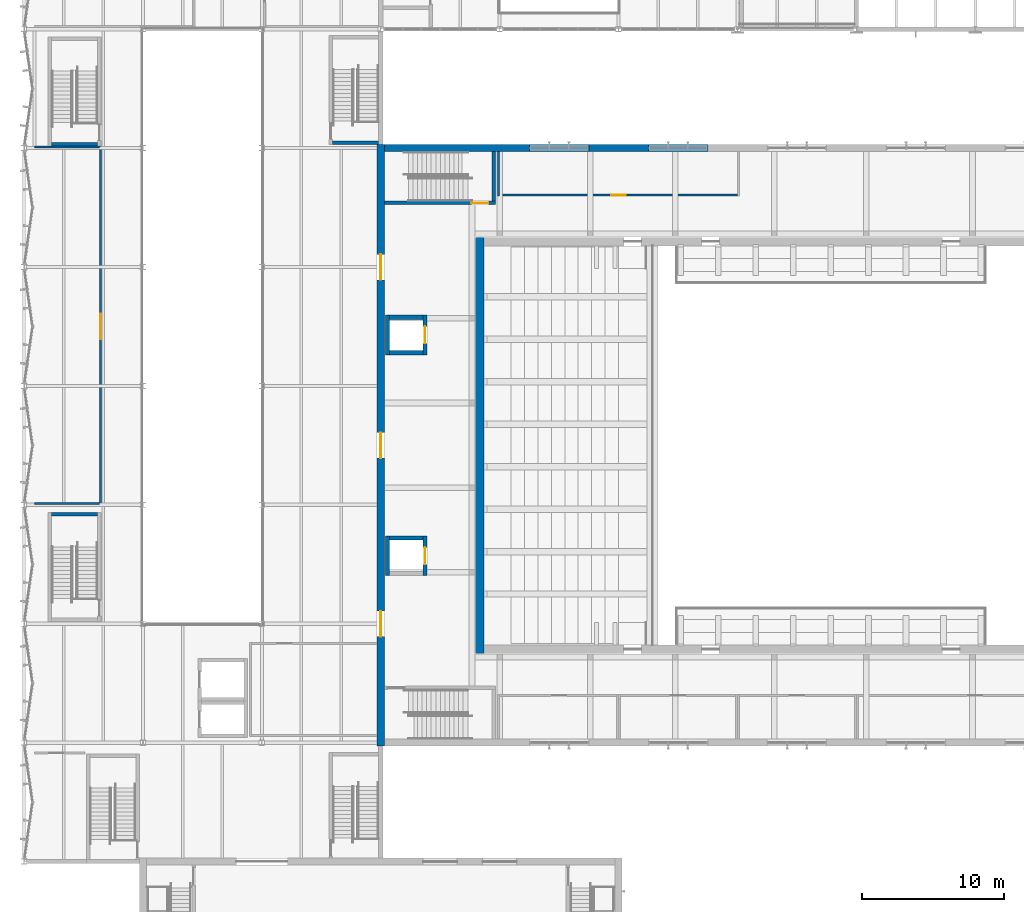
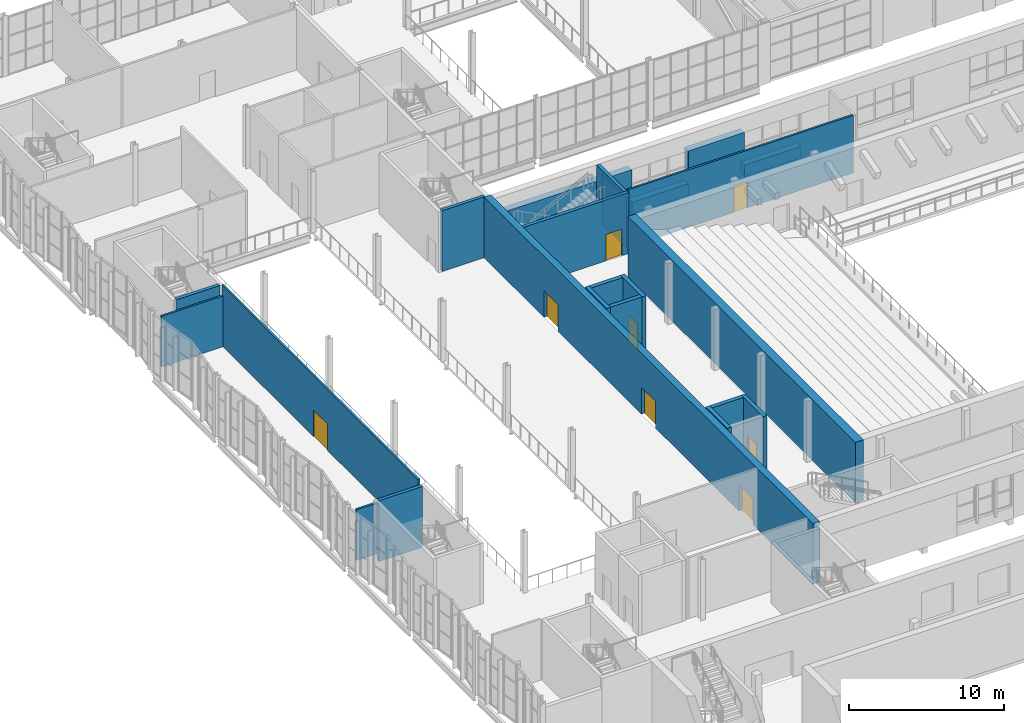
# One storey, part 77 of 127: 23 walls, 8 doors, 8 openings.
"""IFC4 building model written with IfcOpenShell, lengths in metres."""

from ifc_helpers import new_model, si_unit, direction, frame, frame_2d, origin, place, context, subcontext, project, spatial, rectangle, extrude, material, layer, layer_set, type_object, element, fill, save


model = new_model("IFC4")

# Units and contexts
model_context = context("Model", 3, precision=1e-05, world=origin(), true_north=direction((0.0, 1.0)))
body_context = subcontext(model_context, "Body", "Model", "MODEL_VIEW")
ifc_project = project(units=[si_unit("LENGTHUNIT", "METRE"), si_unit("AREAUNIT", "SQUARE_METRE"), si_unit("VOLUMEUNIT", "CUBIC_METRE"), si_unit("PLANEANGLEUNIT", "RADIAN"), si_unit("MASSUNIT", "GRAM", prefix="KILO")], contexts=[model_context])

# Site, building, storey
site_placement = place(None, origin())
site = spatial("IfcSite", under=ifc_project, at=site_placement, CompositionType="ELEMENT")
building_placement = place(site_placement, origin())
building = spatial("IfcBuilding", under=site, at=building_placement, Name="Ljudholm Concert House", CompositionType="ELEMENT")
storey_placement = place(building_placement, frame((0.0, 0.0, 5.39990234375)))
storey = spatial("IfcBuildingStorey", under=building, at=storey_placement, Name="L01", CompositionType="ELEMENT", Elevation=5.39990234375)

# Wall, opening, door
ifc_material_1 = material(Name="Gypsum board on steel studs", Category="steel")
ifc_layer_1 = layer(ifc_material_1, 0.14990234375)
ifc_layer_set_1 = layer_set([ifc_layer_1], Name="Gypsum board on steel studs")
wall_type_1 = type_object("IfcWallType", Name="GYPSUM PARTITION 150", PredefinedType="PARTITIONING", material=ifc_layer_set_1)
wall_1_placement = place(storey_placement, frame((37.60009765625, 93.074951171875, 0.0), z_axis=(0.0, 0.0, 1.0), x_axis=(1.0, 0.0, 0.0)))
wall_1 = element("IfcWall", 1, at=wall_1_placement, inside=storey, type_object=wall_type_1, Name="Hall Bar partition", PredefinedType="PARTITIONING", context=body_context, shape_type="SweptSolid", body=[
    extrude(rectangle(XDim=16.7998046875, YDim=0.14990234375, at=frame_2d((8.39990234375, 0.0))), origin(), (0.0, 0.0, 1.0), 4.550048828125),
])
opening_1_placement = place(wall_1_placement, frame((7.89990234375, 0.0, 0.0)))
opening_1 = element("IfcOpeningElement", 2, at=opening_1_placement, cuts=wall_1, Name="Opening D-H01-007", PredefinedType="OPENING", context=body_context, shape_type="SweptSolid", body=[
    extrude(rectangle(XDim=1.0, YDim=2.10009765625, at=frame_2d((0.5, 1.050048828125))), frame((0.0, 0.0849609375, 0.0), z_axis=(0.0, -1.0, 0.0), x_axis=(1.0, 0.0, 0.0)), (0.0, 0.0, 1.0), 0.169921875),
])
ifc_material_2 = material(Name="Hollow metal door in steel frame", Category="steel")
door_type_1 = type_object("IfcDoorType", Name="SWING DOOR 1000x2100", OperationType="SINGLE_SWING_LEFT", PredefinedType="DOOR", material=ifc_material_2)
door_1_placement = place(opening_1_placement, origin())
door_1 = element("IfcDoor", 3, at=door_1_placement, inside=storey, type_object=door_type_1, Name="Hall Bar door", OperationType="SINGLE_SWING_RIGHT", OverallHeight=2.10009765625, OverallWidth=1.0, PredefinedType="DOOR", context=body_context, shape_type="SweptSolid", body=[
    extrude(rectangle(XDim=1.0, YDim=2.10009765625, at=frame_2d((0.5, 1.050048828125))), frame((0.0, 0.02490234375, 0.0), z_axis=(0.0, -1.0, 0.0), x_axis=(1.0, 0.0, 0.0)), (0.0, 0.0, 1.0), 0.050048828125),
])
fill(opening_1, door_1)

# Wall
wall_2_placement = place(storey_placement, frame((37.52490234375, 93.0, 0.0), z_axis=(0.0, 0.0, 1.0), x_axis=(0.0, 1.0, 0.0)))
element("IfcWall", 4, at=wall_2_placement, inside=storey, type_object=wall_type_1, Name="Hall Bar partition", PredefinedType="PARTITIONING", context=body_context, shape_type="SweptSolid", body=[
    extrude(rectangle(XDim=3.14990234375, YDim=0.14990234375, at=frame_2d((1.574951171875, 0.0))), origin(), (0.0, 0.0, 1.0), 3.9501953125),
])

# Wall, opening, door
wall_3_placement = place(storey_placement, frame((9.39990234375, 71.22509765625, 0.0), z_axis=(0.0, 0.0, 1.0), x_axis=(0.0, 1.0, 0.0)))
wall_3 = element("IfcWall", 5, at=wall_3_placement, inside=storey, type_object=wall_type_1, Name="Room wall", PredefinedType="PARTITIONING", context=body_context, shape_type="SweptSolid", body=[
    extrude(rectangle(XDim=25.324951171875, YDim=0.14990234375, at=frame_2d((12.66259765625, 0.0))), origin(), (0.0, 0.0, 1.0), 4.800048828125),
])
opening_2_placement = place(wall_3_placement, frame((11.675048828125, 0.0, 0.0)))
opening_2 = element("IfcOpeningElement", 6, at=opening_2_placement, cuts=wall_3, Name="Opening D-S01-012", PredefinedType="OPENING", context=body_context, shape_type="SweptSolid", body=[
    extrude(rectangle(XDim=1.800048828125, YDim=2.10009765625, at=frame_2d((0.89990234375, 1.050048828125))), frame((0.0, 0.0849609375, 0.0), z_axis=(0.0, -1.0, 0.0), x_axis=(1.0, 0.0, 0.0)), (0.0, 0.0, 1.0), 0.169921875),
])
ifc_material_3 = material(Name="Hollow metal door in steel frame", Category="steel")
door_type_2 = type_object("IfcDoorType", Name="DOUBLE DOOR 1800x2100", OperationType="DOUBLE_DOOR_SINGLE_SWING", PredefinedType="DOOR", material=ifc_material_3)
door_2_placement = place(opening_2_placement, origin())
door_2 = element("IfcDoor", 7, at=door_2_placement, inside=storey, type_object=door_type_2, Name="Exhibition Gallery door", OperationType="DOUBLE_DOOR_SINGLE_SWING", OverallHeight=2.10009765625, OverallWidth=1.800048828125, PredefinedType="DOOR", context=body_context, shape_type="SweptSolid", body=[
    extrude(rectangle(XDim=1.800048828125, YDim=2.10009765625, at=frame_2d((0.89990234375, 1.050048828125))), frame((0.0, 0.02490234375, 0.0), z_axis=(0.0, -1.0, 0.0), x_axis=(1.0, 0.0, 0.0)), (0.0, 0.0, 1.0), 0.050048828125),
])
fill(opening_2, door_2)

# Walls
for number, where, z_axis, x_axis, name in (
    (8, (4.75, 71.300048828125, 0.0), (0.0, 0.0, 1.0), (1.0, 0.0, 0.0), "Room wall"),
    (9, (4.75, 96.47509765625, 0.0), (0.0, 0.0, 1.0), (1.0, 0.0, 0.0), "Room wall"),
):
    element("IfcWall", number, at=place(storey_placement, frame(where, z_axis=z_axis, x_axis=x_axis)), inside=storey, type_object=wall_type_1, Name=name, PredefinedType="PARTITIONING", context=body_context, shape_type="SweptSolid", body=[
        extrude(rectangle(XDim=4.574951171875, YDim=0.14990234375, at=frame_2d((2.28759765625, 0.0))), origin(), (0.0, 0.0, 1.0), 4.008056640625),
    ])
ifc_material_4 = material(Name="Concrete 6,500 psi", Category="concrete")
ifc_layer_2 = layer(ifc_material_4, 0.25)
ifc_layer_set_2 = layer_set([ifc_layer_2], Name="Concrete 6,500 psi")
wall_type_2 = type_object("IfcWallType", Name="RC CORE WALL 250", PredefinedType="SHEAR", material=ifc_layer_set_2)
for number, where, z_axis, x_axis, name in (
    (10, (25.800048828125, 96.77490234375, 0.0), (0.0, 0.0, 1.0), (1.0, 0.0, 0.0), "Stair enclosure wall"),
    (11, (5.949951171875, 70.52490234375, 0.0), (0.0, 0.0, 1.0), (1.0, 0.0, 0.0), "Stair enclosure wall"),
    (12, (5.949951171875, 96.675048828125, 0.0), (0.0, 0.0, 1.0), (1.0, 0.0, 0.0), "Stair enclosure wall"),
):
    element("IfcWall", number, at=place(storey_placement, frame(where, z_axis=z_axis, x_axis=x_axis)), inside=storey, type_object=wall_type_2, Name=name, PredefinedType="SHEAR", context=body_context, shape_type="SweptSolid", body=[
        extrude(rectangle(XDim=3.25, YDim=0.25, at=frame_2d((1.625, 0.0))), origin(), (0.0, 0.0, 1.0), 4.800048828125),
    ])

# Wall, opening, door
ifc_material_5 = material(Name="Concrete 6,500 psi", Category="concrete")
ifc_layer_3 = layer(ifc_material_5, 0.25)
ifc_layer_set_3 = layer_set([ifc_layer_3], Name="Concrete 6,500 psi")
wall_type_3 = type_object("IfcWallType", Name="RC WALL 250", PredefinedType="SOLIDWALL", material=ifc_layer_set_3)
wall_4_placement = place(storey_placement, frame((29.449951171875, 92.52490234375, 0.0), z_axis=(0.0, 0.0, 1.0), x_axis=(1.0, 0.0, 0.0)))
wall_4 = element("IfcWall", 13, at=wall_4_placement, inside=storey, type_object=wall_type_3, Name="Stair enclosure wall EH2", PredefinedType="SOLIDWALL", context=body_context, shape_type="SweptSolid", body=[
    extrude(rectangle(XDim=7.85009765625, YDim=0.25, at=frame_2d((3.925048828125, 0.0))), origin(), (0.0, 0.0, 1.0), 4.800048828125),
])
opening_3_placement = place(wall_4_placement, frame((6.14990234375, 0.0, 0.0)))
opening_3 = element("IfcOpeningElement", 14, at=opening_3_placement, cuts=wall_4, Name="Opening D-H01-010", PredefinedType="OPENING", context=body_context, shape_type="SweptSolid", body=[
    extrude(rectangle(XDim=1.199951171875, YDim=2.10009765625, at=frame_2d((0.60009765625, 1.050048828125))), frame((0.0, 0.135009765625, 0.0), z_axis=(0.0, -1.0, 0.0), x_axis=(1.0, 0.0, 0.0)), (0.0, 0.0, 1.0), 0.27001953125),
])
ifc_material_6 = material(Name="Hollow metal door in steel frame", Category="steel")
door_type_3 = type_object("IfcDoorType", Name="SWING DOOR 1200x2100", OperationType="SINGLE_SWING_LEFT", PredefinedType="DOOR", material=ifc_material_6)
door_3_placement = place(opening_3_placement, origin())
door_3 = element("IfcDoor", 15, at=door_3_placement, inside=storey, type_object=door_type_3, Name="Exit stair EH2 door", OperationType="SINGLE_SWING_RIGHT", OverallHeight=2.10009765625, OverallWidth=1.199951171875, PredefinedType="DOOR", context=body_context, shape_type="SweptSolid", body=[
    extrude(rectangle(XDim=1.199951171875, YDim=2.10009765625, at=frame_2d((0.60009765625, 1.050048828125))), frame((0.0, 0.02490234375, 0.0), z_axis=(0.0, -1.0, 0.0), x_axis=(1.0, 0.0, 0.0)), (0.0, 0.0, 1.0), 0.050048828125),
])
fill(opening_3, door_3)

# Walls
wall_5_placement = place(storey_placement, frame((37.175048828125, 92.64990234375, 0.0), z_axis=(0.0, 0.0, 1.0), x_axis=(0.0, 1.0, 0.0)))
element("IfcWall", 16, at=wall_5_placement, inside=storey, type_object=wall_type_3, Name="Stair enclosure wall EH2", PredefinedType="SOLIDWALL", context=body_context, shape_type="SweptSolid", body=[
    extrude(rectangle(XDim=3.5, YDim=0.25, at=frame_2d((1.75, 0.0))), origin(), (0.0, 0.0, 1.0), 4.800048828125),
])
ifc_material_7 = material(Name="Concrete 6,500 psi", Category="concrete")
ifc_layer_4 = layer(ifc_material_7, 0.300048828125)
ifc_layer_set_4 = layer_set([ifc_layer_4], Name="Concrete 6,500 psi")
wall_type_4 = type_object("IfcWallType", Name="RC WALL 300", PredefinedType="SOLIDWALL", material=ifc_layer_set_4)
wall_6_placement = place(storey_placement, frame((29.675048828125, 66.199951171875, 0.0), z_axis=(0.0, 0.0, 1.0), x_axis=(0.0, 1.0, 0.0)))
element("IfcWall", 17, at=wall_6_placement, inside=storey, type_object=wall_type_4, Name="Lift shaft wall", PredefinedType="SOLIDWALL", context=body_context, shape_type="SweptSolid", body=[
    extrude(rectangle(XDim=2.800048828125, YDim=0.300048828125, at=frame_2d((1.39990234375, 0.0))), origin(), (0.0, 0.0, 1.0), 4.800048828125),
])

# Wall, opening, door
wall_7_placement = place(storey_placement, frame((32.324951171875, 66.199951171875, 0.0), z_axis=(0.0, 0.0, 1.0), x_axis=(0.0, 1.0, 0.0)))
wall_7 = element("IfcWall", 18, at=wall_7_placement, inside=storey, type_object=wall_type_4, Name="Lift shaft wall", PredefinedType="SOLIDWALL", context=body_context, shape_type="SweptSolid", body=[
    extrude(rectangle(XDim=2.800048828125, YDim=0.300048828125, at=frame_2d((1.39990234375, 0.0))), origin(), (0.0, 0.0, 1.0), 4.800048828125),
])
opening_4_placement = place(wall_7_placement, frame((0.800048828125, 0.0, 0.0)))
opening_4 = element("IfcOpeningElement", 19, at=opening_4_placement, cuts=wall_7, Name="Opening LD-H01-001", PredefinedType="OPENING", context=body_context, shape_type="SweptSolid", body=[
    extrude(rectangle(XDim=1.199951171875, YDim=2.10009765625, at=frame_2d((0.60009765625, 1.050048828125))), frame((0.0, 0.159912109375, 0.0), z_axis=(0.0, -1.0, 0.0), x_axis=(1.0, 0.0, 0.0)), (0.0, 0.0, 1.0), 0.320068359375),
])
ifc_material_8 = material(Name="Stainless steel sliding landing door, fire-rated", Category="steel")
door_type_4 = type_object("IfcDoorType", Name="LIFT DOOR 1200x2100", OperationType="SLIDING_TO_LEFT", PredefinedType="DOOR", material=ifc_material_8)
door_4_placement = place(opening_4_placement, origin())
door_4 = element("IfcDoor", 20, at=door_4_placement, inside=storey, type_object=door_type_4, Name="Lift landing door", OperationType="SLIDING_TO_LEFT", OverallHeight=2.10009765625, OverallWidth=1.199951171875, PredefinedType="DOOR", context=body_context, shape_type="SweptSolid", body=[
    extrude(rectangle(XDim=1.199951171875, YDim=2.10009765625, at=frame_2d((0.60009765625, 1.050048828125))), frame((0.0, 0.02490234375, 0.0), z_axis=(0.0, -1.0, 0.0), x_axis=(1.0, 0.0, 0.0)), (0.0, 0.0, 1.0), 0.050048828125),
])
fill(opening_4, door_4)

# Walls
wall_8_placement = place(storey_placement, frame((29.824951171875, 68.85009765625, 0.0), z_axis=(0.0, 0.0, 1.0), x_axis=(1.0, 0.0, 0.0)))
element("IfcWall", 21, at=wall_8_placement, inside=storey, type_object=wall_type_4, Name="Lift shaft wall", PredefinedType="SOLIDWALL", context=body_context, shape_type="SweptSolid", body=[
    extrude(rectangle(XDim=2.35009765625, YDim=0.300048828125, at=frame_2d((1.175048828125, 0.0))), origin(), (0.0, 0.0, 1.0), 4.800048828125),
])
wall_9_placement = place(storey_placement, frame((29.675048828125, 81.800048828125, 0.0), z_axis=(0.0, 0.0, 1.0), x_axis=(0.0, 1.0, 0.0)))
element("IfcWall", 22, at=wall_9_placement, inside=storey, type_object=wall_type_4, Name="Lift shaft wall", PredefinedType="SOLIDWALL", context=body_context, shape_type="SweptSolid", body=[
    extrude(rectangle(XDim=2.800048828125, YDim=0.300048828125, at=frame_2d((1.39990234375, 0.0))), origin(), (0.0, 0.0, 1.0), 4.800048828125),
])

# Wall, opening, door
wall_10_placement = place(storey_placement, frame((32.324951171875, 81.800048828125, 0.0), z_axis=(0.0, 0.0, 1.0), x_axis=(0.0, 1.0, 0.0)))
wall_10 = element("IfcWall", 23, at=wall_10_placement, inside=storey, type_object=wall_type_4, Name="Lift shaft wall", PredefinedType="SOLIDWALL", context=body_context, shape_type="SweptSolid", body=[
    extrude(rectangle(XDim=2.800048828125, YDim=0.300048828125, at=frame_2d((1.39990234375, 0.0))), origin(), (0.0, 0.0, 1.0), 4.800048828125),
])
opening_5_placement = place(wall_10_placement, frame((0.800048828125, 0.0, 0.0)))
opening_5 = element("IfcOpeningElement", 24, at=opening_5_placement, cuts=wall_10, Name="Opening LD-H01-002", PredefinedType="OPENING", context=body_context, shape_type="SweptSolid", body=[
    extrude(rectangle(XDim=1.199951171875, YDim=2.10009765625, at=frame_2d((0.60009765625, 1.050048828125))), frame((0.0, 0.159912109375, 0.0), z_axis=(0.0, -1.0, 0.0), x_axis=(1.0, 0.0, 0.0)), (0.0, 0.0, 1.0), 0.320068359375),
])
door_5_placement = place(opening_5_placement, origin())
door_5 = element("IfcDoor", 25, at=door_5_placement, inside=storey, type_object=door_type_4, Name="Lift landing door", OperationType="SLIDING_TO_LEFT", OverallHeight=2.10009765625, OverallWidth=1.199951171875, PredefinedType="DOOR", context=body_context, shape_type="SweptSolid", body=[
    extrude(rectangle(XDim=1.199951171875, YDim=2.10009765625, at=frame_2d((0.60009765625, 1.050048828125))), frame((0.0, 0.02490234375, 0.0), z_axis=(0.0, -1.0, 0.0), x_axis=(1.0, 0.0, 0.0)), (0.0, 0.0, 1.0), 0.050048828125),
])
fill(opening_5, door_5)

# Walls
for number, where, z_axis, x_axis, name in (
    (26, (29.824951171875, 81.949951171875, 0.0), (0.0, 0.0, 1.0), (1.0, 0.0, 0.0), "Lift shaft wall"),
    (27, (29.824951171875, 84.449951171875, 0.0), (0.0, 0.0, 1.0), (1.0, 0.0, 0.0), "Lift shaft wall"),
):
    element("IfcWall", number, at=place(storey_placement, frame(where, z_axis=z_axis, x_axis=x_axis)), inside=storey, type_object=wall_type_4, Name=name, PredefinedType="SOLIDWALL", context=body_context, shape_type="SweptSolid", body=[
        extrude(rectangle(XDim=2.35009765625, YDim=0.300048828125, at=frame_2d((1.175048828125, 0.0))), origin(), (0.0, 0.0, 1.0), 4.800048828125),
    ])

# Wall, openings, doors
ifc_material_9 = material(Name="Concrete 6,500 psi", Category="concrete")
ifc_layer_5 = layer(ifc_material_9, 0.5)
ifc_layer_set_5 = layer_set([ifc_layer_5], Name="Concrete 6,500 psi")
wall_type_5 = type_object("IfcWallType", Name="RC WALL 500", PredefinedType="SOLIDWALL", material=ifc_layer_set_5)
wall_11_placement = place(storey_placement, frame((29.199951171875, 54.14990234375, 0.0), z_axis=(0.0, 0.0, 1.0), x_axis=(0.0, 1.0, 0.0)))
wall_11 = element("IfcWall", 28, at=wall_11_placement, inside=storey, type_object=wall_type_5, Name="Outer wall W", PredefinedType="SOLIDWALL", context=body_context, shape_type="SweptSolid", body=[
    extrude(rectangle(XDim=42.5, YDim=0.5, at=frame_2d((21.25, 0.0))), origin(), (0.0, 0.0, 1.0), 4.800048828125),
])
opening_6_placement = place(wall_11_placement, frame((7.75, 0.0, 0.0)))
opening_6 = element("IfcOpeningElement", 29, at=opening_6_placement, cuts=wall_11, Name="Opening D-H01-013", PredefinedType="OPENING", context=body_context, shape_type="SweptSolid", body=[
    extrude(rectangle(XDim=1.800048828125, YDim=2.10009765625, at=frame_2d((0.89990234375, 1.050048828125))), frame((0.0, 0.260009765625, 0.0), z_axis=(0.0, -1.0, 0.0), x_axis=(1.0, 0.0, 0.0)), (0.0, 0.0, 1.0), 0.52001953125),
])
opening_7_placement = place(wall_11_placement, frame((20.35009765625, 0.0, 0.0)))
opening_7 = element("IfcOpeningElement", 30, at=opening_7_placement, cuts=wall_11, Name="Opening D-H01-014", PredefinedType="OPENING", context=body_context, shape_type="SweptSolid", body=[
    extrude(rectangle(XDim=1.800048828125, YDim=2.10009765625, at=frame_2d((0.89990234375, 1.050048828125))), frame((0.0, 0.260009765625, 0.0), z_axis=(0.0, -1.0, 0.0), x_axis=(1.0, 0.0, 0.0)), (0.0, 0.0, 1.0), 0.52001953125),
])
opening_8_placement = place(wall_11_placement, frame((32.949951171875, 0.0, 0.0)))
opening_8 = element("IfcOpeningElement", 31, at=opening_8_placement, cuts=wall_11, Name="Opening D-H01-015", PredefinedType="OPENING", context=body_context, shape_type="SweptSolid", body=[
    extrude(rectangle(XDim=1.800048828125, YDim=2.10009765625, at=frame_2d((0.89990234375, 1.050048828125))), frame((0.0, 0.260009765625, 0.0), z_axis=(0.0, -1.0, 0.0), x_axis=(1.0, 0.0, 0.0)), (0.0, 0.0, 1.0), 0.52001953125),
])
door_6_placement = place(opening_6_placement, origin())
door_6 = element("IfcDoor", 32, at=door_6_placement, inside=storey, type_object=door_type_2, Name="Port P-HS-1 door", OperationType="DOUBLE_DOOR_SINGLE_SWING", OverallHeight=2.10009765625, OverallWidth=1.800048828125, PredefinedType="DOOR", context=body_context, shape_type="SweptSolid", body=[
    extrude(rectangle(XDim=1.800048828125, YDim=2.10009765625, at=frame_2d((0.89990234375, 1.050048828125))), frame((0.0, 0.02490234375, 0.0), z_axis=(0.0, -1.0, 0.0), x_axis=(1.0, 0.0, 0.0)), (0.0, 0.0, 1.0), 0.050048828125),
])
fill(opening_6, door_6)
door_7_placement = place(opening_7_placement, origin())
door_7 = element("IfcDoor", 33, at=door_7_placement, inside=storey, type_object=door_type_2, Name="Port P-HS-2 door", OperationType="DOUBLE_DOOR_SINGLE_SWING", OverallHeight=2.10009765625, OverallWidth=1.800048828125, PredefinedType="DOOR", context=body_context, shape_type="SweptSolid", body=[
    extrude(rectangle(XDim=1.800048828125, YDim=2.10009765625, at=frame_2d((0.89990234375, 1.050048828125))), frame((0.0, 0.02490234375, 0.0), z_axis=(0.0, -1.0, 0.0), x_axis=(1.0, 0.0, 0.0)), (0.0, 0.0, 1.0), 0.050048828125),
])
fill(opening_7, door_7)
door_8_placement = place(opening_8_placement, origin())
door_8 = element("IfcDoor", 34, at=door_8_placement, inside=storey, type_object=door_type_2, Name="Port P-HS-3 door", OperationType="DOUBLE_DOOR_SINGLE_SWING", OverallHeight=2.10009765625, OverallWidth=1.800048828125, PredefinedType="DOOR", context=body_context, shape_type="SweptSolid", body=[
    extrude(rectangle(XDim=1.800048828125, YDim=2.10009765625, at=frame_2d((0.89990234375, 1.050048828125))), frame((0.0, 0.02490234375, 0.0), z_axis=(0.0, -1.0, 0.0), x_axis=(1.0, 0.0, 0.0)), (0.0, 0.0, 1.0), 0.050048828125),
])
fill(opening_8, door_8)

# Walls
wall_12_placement = place(storey_placement, frame((29.449951171875, 96.39990234375, 0.0), z_axis=(0.0, 0.0, 1.0), x_axis=(1.0, 0.0, 0.0)))
element("IfcWall", 35, at=wall_12_placement, inside=storey, type_object=wall_type_5, Name="Outer wall N", PredefinedType="SOLIDWALL", context=body_context, shape_type="SweptSolid", body=[
    extrude(rectangle(XDim=10.25, YDim=0.5, at=frame_2d((5.125, 0.0))), origin(), (0.0, 0.0, 1.0), 3.5),
])
wall_13_placement = place(storey_placement, frame((43.89990234375, 96.39990234375, 0.0), z_axis=(0.0, 0.0, 1.0), x_axis=(1.0, 0.0, 0.0)))
element("IfcWall", 36, at=wall_13_placement, inside=storey, type_object=wall_type_5, Name="Outer wall N", PredefinedType="SOLIDWALL", context=body_context, shape_type="SweptSolid", body=[
    extrude(rectangle(XDim=4.2001953125, YDim=0.5, at=frame_2d((2.10009765625, 0.0))), origin(), (0.0, 0.0, 1.0), 3.5),
])
for number, where, z_axis, x_axis, name in (
    (37, (39.699951171875, 96.39990234375, 0.0), (0.0, 0.0, 1.0), (1.0, 0.0, 0.0), "Outer wall N"),
    (38, (48.10009765625, 96.39990234375, 0.0), (0.0, 0.0, 1.0), (1.0, 0.0, 0.0), "Outer wall N"),
):
    element("IfcWall", number, at=place(storey_placement, frame(where, z_axis=z_axis, x_axis=x_axis)), inside=storey, type_object=wall_type_5, Name=name, PredefinedType="SOLIDWALL", context=body_context, shape_type="SweptSolid", body=[
        extrude(rectangle(XDim=4.199951171875, YDim=0.5, at=frame_2d((2.10009765625, 0.0))), origin(), (0.0, 0.0, 1.0), 0.900146484375),
    ])
ifc_material_10 = material(Name="Concrete 6,500 psi", Category="concrete")
ifc_layer_6 = layer(ifc_material_10, 0.60009765625)
ifc_layer_set_6 = layer_set([ifc_layer_6], Name="Concrete 6,500 psi")
wall_type_6 = type_object("IfcWallType", Name="RC WALL 600", PredefinedType="SOLIDWALL", material=ifc_layer_set_6)
wall_14_placement = place(storey_placement, frame((36.199951171875, 60.699951171875, 0.0), z_axis=(0.0, 0.0, 1.0), x_axis=(0.0, 1.0, 0.0)))
element("IfcWall", 39, at=wall_14_placement, inside=storey, type_object=wall_type_6, Name="Inner box wall W", PredefinedType="SOLIDWALL", context=body_context, shape_type="SweptSolid", body=[
    extrude(rectangle(XDim=29.400146484375, YDim=0.60009765625, at=frame_2d((14.7001953125, 0.0))), origin(), (0.0, 0.0, 1.0), 4.800048828125),
])

save(model, "model.ifc")
